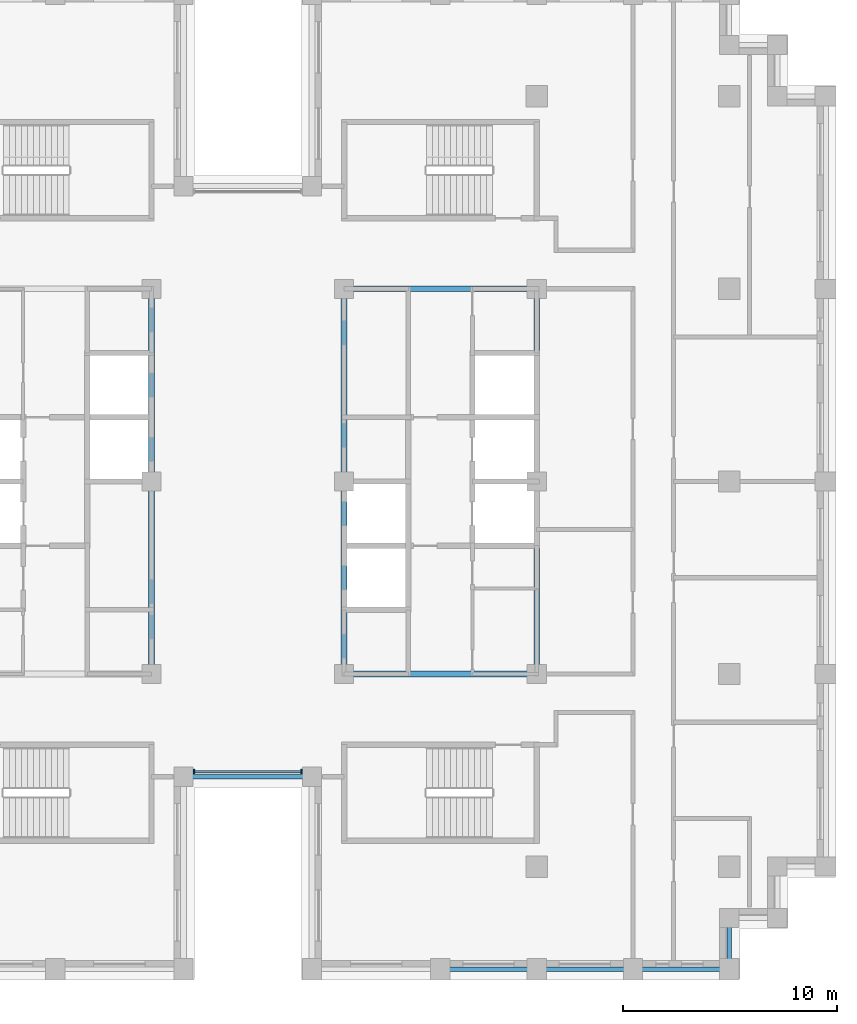
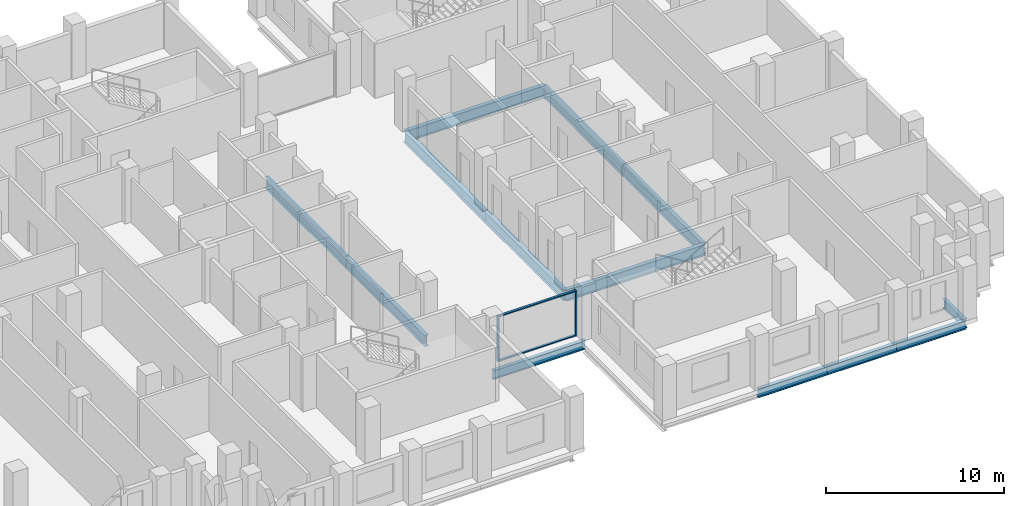
# One storey, part 2 of 15: 13 beams, 4 members, 1 element without a shape of its own.
"""IFC4 building model written with IfcOpenShell, lengths in metres."""

from ifc_helpers import new_model, si_unit, direction, frame, origin, origin_2d, place, context, subcontext, project, spatial, rectangle, i_section, extrude, material, layer, layer_set, material_profile, profile_set, type_object, element, aggregate, save


model = new_model("IFC4")

# Units and contexts
model_context = context("Model", 3, precision=1e-05, world=origin(), true_north=direction((0.0, 1.0)))
body_context = subcontext(model_context, "Body", "Model", "MODEL_VIEW")
ifc_project = project(units=[si_unit("LENGTHUNIT", "METRE"), si_unit("AREAUNIT", "SQUARE_METRE"), si_unit("VOLUMEUNIT", "CUBIC_METRE"), si_unit("PLANEANGLEUNIT", "RADIAN"), si_unit("MASSUNIT", "GRAM", prefix="KILO")], contexts=[model_context])

# Site, building, storey
site_placement = place(None, origin())
site = spatial("IfcSite", under=ifc_project, at=site_placement, CompositionType="ELEMENT")
building_placement = place(site_placement, origin())
building = spatial("IfcBuilding", under=site, at=building_placement, Name="Corbelhall Arena Tower", CompositionType="ELEMENT")
storey_placement = place(building_placement, frame((0.0, 0.0, 196.0)))
storey = spatial("IfcBuildingStorey", under=building, at=storey_placement, Name="L40", CompositionType="ELEMENT", Elevation=196.0)

# Curtain wall, members
ifc_material_1 = material(Name="Aluminium black anodised", Category="aluminium")
ifc_layer = layer(ifc_material_1, 0.199951171875)
ifc_layer_set = layer_set([ifc_layer], Name="EV-CW1 Slot back wall")
curtain_wall_type = type_object("IfcCurtainWallType", Name="EV-CW1 Slot back wall", PredefinedType="NOTDEFINED", material=ifc_layer_set)
curtain_wall_placement = place(storey_placement, origin())
curtain_wall = element("IfcCurtainWall", 1, at=curtain_wall_placement, inside=storey, type_object=curtain_wall_type, Name="Curtain wall CW1", PredefinedType="NOTDEFINED")
ifc_material_profile_1 = material_profile(ifc_material_1, rectangle(XDim=0.199951171875, YDim=0.074951171875, at=origin_2d()))
ifc_profile_set_1 = profile_set([ifc_material_profile_1], Name="Aluminium black anodised")
member_type_1 = type_object("IfcMemberType", Name="EV-CW1-MULLION", PredefinedType="MULLION", material=ifc_profile_set_1)
member_1_placement = place(storey_placement, frame((-2.512451171875, -13.550048828125, 0.0), z_axis=(0.0, 0.0, 1.0), x_axis=(0.0, 1.0, 0.0)))
member_1 = element("IfcMember", 2, at=member_1_placement, type_object=member_type_1, Name="CW1 mullion 1", PredefinedType="MULLION", context=body_context, shape_type="SweptSolid", body=[
    extrude(rectangle(XDim=0.199951171875, YDim=0.074951171875, at=origin_2d()), origin(), (0.0, 0.0, 1.0), 3.1201171875),
])
member_2_placement = place(storey_placement, frame((2.512451171875, -13.550048828125, 0.0), z_axis=(0.0, 0.0, 1.0), x_axis=(0.0, 1.0, 0.0)))
member_2 = element("IfcMember", 3, at=member_2_placement, type_object=member_type_1, Name="CW1 mullion 2", PredefinedType="MULLION", context=body_context, shape_type="SweptSolid", body=[
    extrude(rectangle(XDim=0.199951171875, YDim=0.074951171875, at=origin_2d()), origin(), (0.0, 0.0, 1.0), 3.1201171875),
])
ifc_material_profile_2 = material_profile(ifc_material_1, rectangle(XDim=0.14990234375, YDim=0.074951171875, at=origin_2d()))
ifc_profile_set_2 = profile_set([ifc_material_profile_2], Name="Aluminium black anodised")
member_type_2 = type_object("IfcMemberType", Name="EV-CW1-TRANSOM", PredefinedType="USERDEFINED", material=ifc_profile_set_2)
member_3_placement = place(storey_placement, frame((-2.47509765625, -13.550048828125, 0.03759765625), z_axis=(1.0, 0.0, 0.0), x_axis=(0.0, 1.0, 0.0)))
member_3 = element("IfcMember", 4, at=member_3_placement, type_object=member_type_2, Name="CW1 transom 1.1", ObjectType="transom", PredefinedType="USERDEFINED", context=body_context, shape_type="SweptSolid", body=[
    extrude(rectangle(XDim=0.14990234375, YDim=0.074951171875, at=origin_2d()), origin(), (0.0, 0.0, 1.0), 4.9501953125),
])
member_4_placement = place(storey_placement, frame((-2.47509765625, -13.550048828125, 3.08251953125), z_axis=(1.0, 0.0, 0.0), x_axis=(0.0, 1.0, 0.0)))
member_4 = element("IfcMember", 5, at=member_4_placement, type_object=member_type_2, Name="CW1 transom 1.2", ObjectType="transom", PredefinedType="USERDEFINED", context=body_context, shape_type="SweptSolid", body=[
    extrude(rectangle(XDim=0.14990234375, YDim=0.074951171875, at=origin_2d()), origin(), (0.0, 0.0, 1.0), 4.9501953125),
])
aggregate(curtain_wall, [member_1, member_2, member_3, member_4])

# Beams
ifc_material_2 = material(Name="Steel ASTM A992 Gr50", Category="steel")
ifc_material_profile_3 = material_profile(ifc_material_2, i_section(OverallWidth=0.2666015625, OverallDepth=0.761962890625, WebThickness=0.014404296875, FlangeThickness=0.021484375, at=origin_2d()))
ifc_profile_set_3 = profile_set([ifc_material_profile_3], Name="Steel ASTM A992 Gr50")
beam_type_1 = type_object("IfcBeamType", Name="ST-BEAM-W30x116", PredefinedType="BEAM", material=ifc_profile_set_3)
for number, where, z_axis, x_axis, name in (
    (6, (-4.5, -9.0, -0.660888671875), (0.0, 1.0, 0.0), (-1.0, 0.0, 0.0), "Beam CEW 3"),
    (7, (-4.5, 0.0, -0.660888671875), (0.0, 1.0, 0.0), (-1.0, 0.0, 0.0), "Beam CEW 4"),
    (8, (4.5, -9.0, -0.660888671875), (0.0, 1.0, 0.0), (-1.0, 0.0, 0.0), "Beam CEE 7"),
    (9, (4.5, 0.0, -0.660888671875), (0.0, 1.0, 0.0), (-1.0, 0.0, 0.0), "Beam CEE 8"),
    (10, (13.5, -9.0, -0.660888671875), (0.0, 1.0, 0.0), (-1.0, 0.0, 0.0), "Beam CEE 9"),
    (11, (13.5, 0.0, -0.660888671875), (0.0, 1.0, 0.0), (-1.0, 0.0, 0.0), "Beam CEE 10"),
    (12, (4.5, -9.0, -0.660888671875), (1.0, 0.0, 0.0), (0.0, 1.0, 0.0), "Beam CEE 11"),
    (13, (4.5, 9.0, -0.660888671875), (1.0, 0.0, 0.0), (0.0, 1.0, 0.0), "Beam CEE 12"),
):
    element("IfcBeam", number, at=place(storey_placement, frame(where, z_axis=z_axis, x_axis=x_axis)), inside=storey, type_object=beam_type_1, Name=name, PredefinedType="BEAM", context=body_context, shape_type="SweptSolid", body=[
        extrude(i_section(OverallWidth=0.2666015625, OverallDepth=0.761962890625, WebThickness=0.014404296875, FlangeThickness=0.021484375, at=origin_2d()), origin(), (0.0, 0.0, 1.0), 9.0),
    ])
ifc_material_profile_4 = material_profile(ifc_material_2, i_section(OverallWidth=0.228271484375, OverallDepth=0.607177734375, WebThickness=0.01123046875, FlangeThickness=0.017333984375, at=origin_2d()))
ifc_profile_set_4 = profile_set([ifc_material_profile_4], Name="Steel ASTM A992 Gr50")
beam_type_2 = type_object("IfcBeamType", Name="ST-SPANDREL-W24x76", PredefinedType="SPANDREL", material=ifc_profile_set_4)
for number, where, z_axis, x_axis, name in (
    (14, (13.5, -22.800048828125, -0.58349609375), (-1.0, 0.0, 0.0), (0.0, -1.0, 0.0), "Beam SP 25"),
    (15, (18.0, -22.800048828125, -0.58349609375), (-1.0, 0.0, 0.0), (0.0, -1.0, 0.0), "Beam SP 26"),
    (16, (22.5, -22.800048828125, -0.58349609375), (-1.0, 0.0, 0.0), (0.0, -1.0, 0.0), "Beam SP 27"),
):
    element("IfcBeam", number, at=place(storey_placement, frame(where, z_axis=z_axis, x_axis=x_axis)), inside=storey, type_object=beam_type_2, Name=name, PredefinedType="SPANDREL", context=body_context, shape_type="SweptSolid", body=[
        extrude(i_section(OverallWidth=0.228271484375, OverallDepth=0.607177734375, WebThickness=0.01123046875, FlangeThickness=0.017333984375, at=origin_2d()), origin(), (0.0, 0.0, 1.0), 4.5),
    ])
beam_1_placement = place(storey_placement, frame((3.0, -13.800048828125, -0.58349609375), z_axis=(-1.0, 0.0, 0.0), x_axis=(0.0, -1.0, 0.0)))
element("IfcBeam", 17, at=beam_1_placement, inside=storey, type_object=beam_type_2, Name="Beam SP 37", PredefinedType="SPANDREL", context=body_context, shape_type="SweptSolid", body=[
    extrude(i_section(OverallWidth=0.228271484375, OverallDepth=0.607177734375, WebThickness=0.01123046875, FlangeThickness=0.017333984375, at=origin_2d()), origin(), (0.0, 0.0, 1.0), 6.0),
])
beam_2_placement = place(storey_placement, frame((22.5, -20.39990234375, -0.58349609375), z_axis=(0.0, -1.0, 0.0), x_axis=(1.0, 0.0, 0.0)))
element("IfcBeam", 18, at=beam_2_placement, inside=storey, type_object=beam_type_2, Name="Beam SP 45", PredefinedType="SPANDREL", context=body_context, shape_type="SweptSolid", body=[
    extrude(i_section(OverallWidth=0.228271484375, OverallDepth=0.607177734375, WebThickness=0.01123046875, FlangeThickness=0.017333984375, at=origin_2d()), origin(), (0.0, 0.0, 1.0), 2.400146484375),
])

save(model, "model.ifc")
